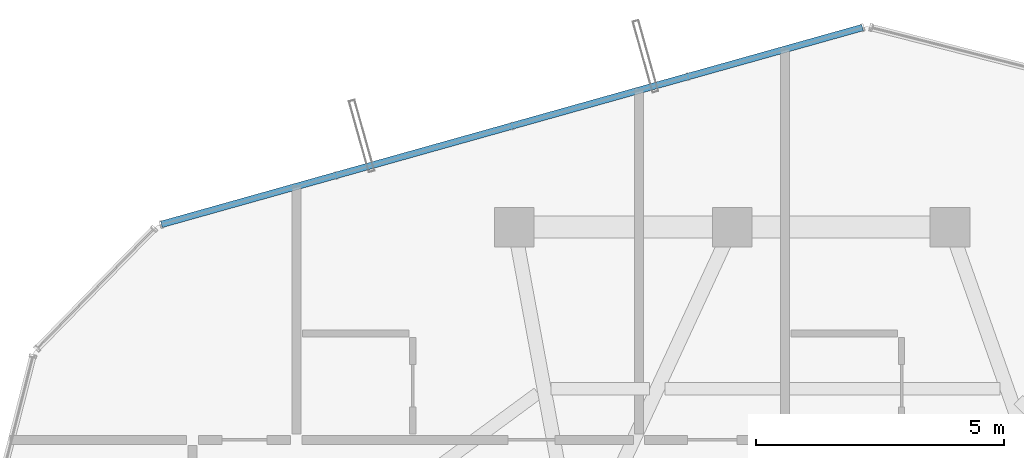
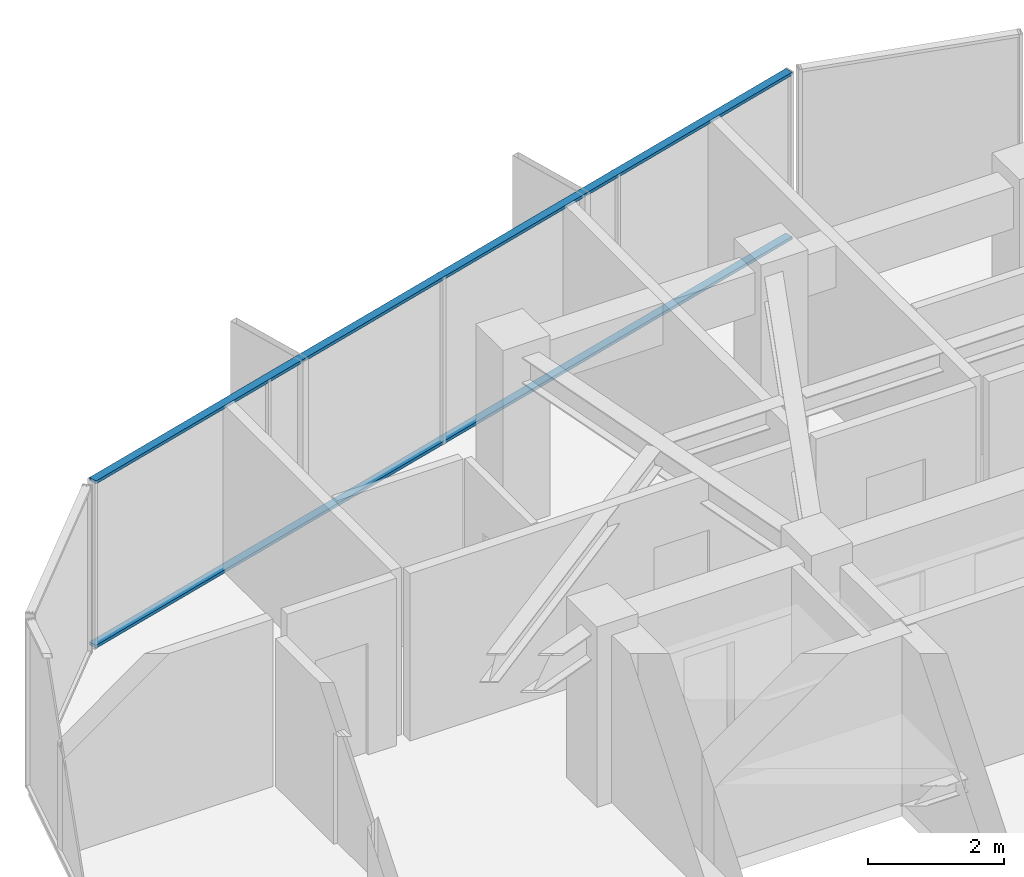
# One storey, part 22 of 29: 2 members, 1 element without a shape of its own.
"""IFC4 building model written with IfcOpenShell, lengths in metres."""

from ifc_helpers import new_model, si_unit, direction, frame, origin, origin_2d, place, context, subcontext, project, spatial, hollow_rectangle, extrude, source, transform, mapped, material, layer, layer_set, material_profile, profile_set, type_object, element, aggregate, save


model = new_model("IFC4")

# Units and contexts
model_context = context("Model", 3, precision=1e-05, world=origin(), true_north=direction((0.0, 1.0)))
body_context = subcontext(model_context, "Body", "Model", "MODEL_VIEW")
ifc_project = project(units=[si_unit("LENGTHUNIT", "METRE"), si_unit("AREAUNIT", "SQUARE_METRE"), si_unit("VOLUMEUNIT", "CUBIC_METRE"), si_unit("PLANEANGLEUNIT", "RADIAN"), si_unit("MASSUNIT", "GRAM", prefix="KILO")], contexts=[model_context])

# Site, building, storey
site_placement = place(None, origin())
site = spatial("IfcSite", under=ifc_project, at=site_placement, CompositionType="ELEMENT")
building_placement = place(site_placement, origin())
building = spatial("IfcBuilding", under=site, at=building_placement, Name="Veraguas Prism Commons", CompositionType="ELEMENT")
storey_placement = place(building_placement, frame((0.0, 0.0, 257.75)))
storey = spatial("IfcBuildingStorey", under=building, at=storey_placement, Name="L73", CompositionType="ELEMENT", Elevation=257.75)

# Curtain wall, members
ifc_material = material(Name="Anodised aluminium EN AW-6063 T6", Category="aluminium")
ifc_layer = layer(ifc_material, 0.14990234375, Name="Unitised Flush Curtain Wall Zone 4", Category="aluminium")
ifc_layer_set = layer_set([ifc_layer], Name="Anodised aluminium EN AW-6063 T6")
curtain_wall_type = type_object("IfcCurtainWallType", Name="Unitised Flush Curtain Wall Zone 4", PredefinedType="NOTDEFINED", material=ifc_layer_set)
curtain_wall_placement = place(storey_placement, origin())
curtain_wall = element("IfcCurtainWall", 1, at=curtain_wall_placement, inside=storey, type_object=curtain_wall_type, Name="Tower Facade Curtain Wall L73-F2", PredefinedType="NOTDEFINED")
ifc_material_profile = material_profile(ifc_material, hollow_rectangle(XDim=0.054931640625, YDim=0.135009765625, WallThickness=0.0029296875, at=origin_2d()), Name="AL55X135X3")
ifc_profile_set = profile_set([ifc_material_profile], Name="Anodised aluminium EN AW-6063 T6")
member_type = type_object("IfcMemberType", Name="Curtain Wall Transom Standard AL 55x135x3", PredefinedType="USERDEFINED", material=ifc_profile_set)
shared_shape = source(origin(), body_context, "Body", "SweptSolid", [
    extrude(hollow_rectangle(XDim=0.054931640625, YDim=0.135009765625, WallThickness=0.0029296875, at=origin_2d()), origin(), (0.0, 0.0, 1.0), 14.706298828125),
])
member_1_placement = place(storey_placement, frame((26.63232421875, 41.82958984375, 0.027587890625), z_axis=(-0.962781038573, -0.270282577619, 0.0), x_axis=(0.0, 0.0, 1.0)))
member_1 = element("IfcMember", 2, at=member_1_placement, type_object=member_type, Name="CW-Z4 Transom 1", ObjectType="TRANSOM", PredefinedType="USERDEFINED", context=body_context, shape_type="MappedRepresentation", body=[
    mapped(shared_shape, transform((0.0, 0.0, 0.0), scale=1.0)),
])
member_2_placement = place(storey_placement, frame((26.63232421875, 41.82958984375, 2.987548828125), z_axis=(-0.962781038573, -0.270282577619, 0.0), x_axis=(0.0, 0.0, 1.0)))
member_2 = element("IfcMember", 3, at=member_2_placement, type_object=member_type, Name="CW-Z4 Transom 2", ObjectType="TRANSOM", PredefinedType="USERDEFINED", context=body_context, shape_type="MappedRepresentation", body=[
    mapped(shared_shape, transform((0.0, 0.0, 0.0), scale=1.0)),
])
aggregate(curtain_wall, [member_1, member_2])

save(model, "model.ifc")
